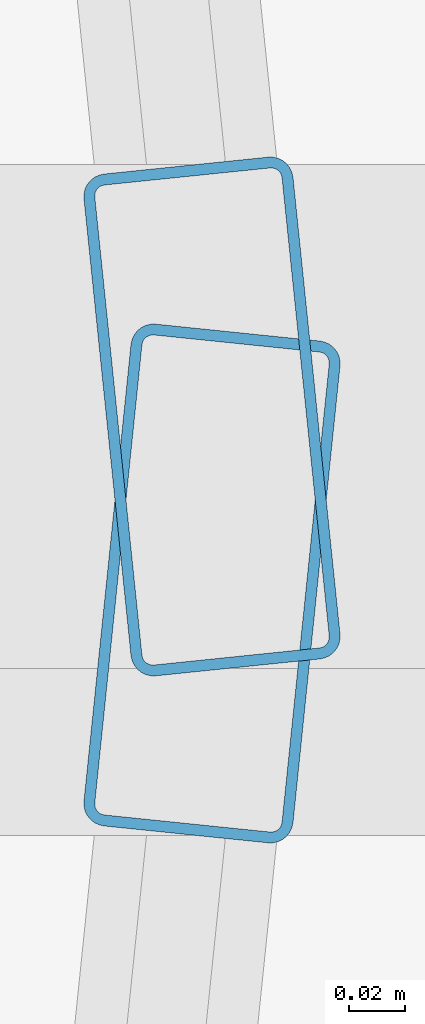
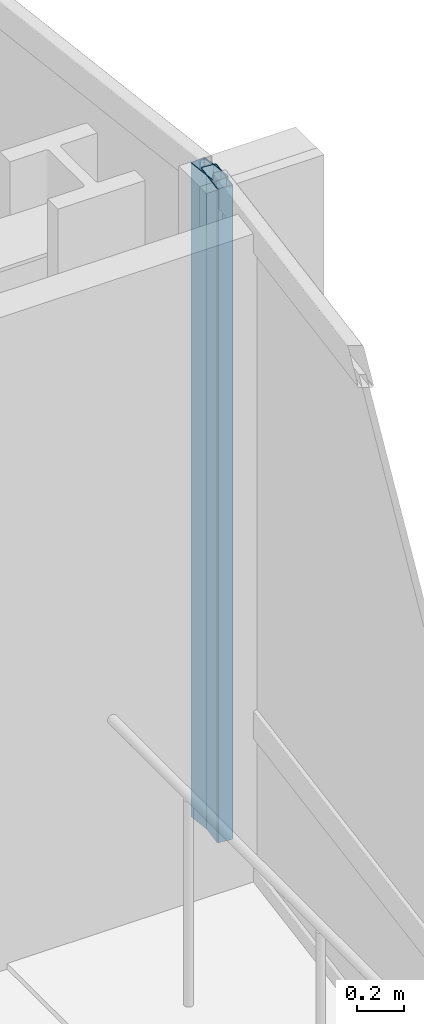
# One storey, part 25 of 34: 2 members, 2 elements without a shape of their own.
"""IFC4 building model written with IfcOpenShell, lengths in metres."""

from ifc_helpers import new_model, si_unit, direction, frame, origin, origin_2d, place, context, subcontext, project, spatial, hollow_rectangle, extrude, material, layer, layer_set, material_profile, profile_set, type_object, element, aggregate, save


model = new_model("IFC4")

# Units and contexts
model_context = context("Model", 3, precision=1e-05, world=origin(), true_north=direction((0.0, 1.0)))
body_context = subcontext(model_context, "Body", "Model", "MODEL_VIEW")
ifc_project = project(units=[si_unit("LENGTHUNIT", "METRE"), si_unit("AREAUNIT", "SQUARE_METRE"), si_unit("VOLUMEUNIT", "CUBIC_METRE"), si_unit("PLANEANGLEUNIT", "RADIAN"), si_unit("MASSUNIT", "GRAM", prefix="KILO")], contexts=[model_context])

# Site, building, storey
site_placement = place(None, origin())
site = spatial("IfcSite", under=ifc_project, at=site_placement, CompositionType="ELEMENT")
building_placement = place(site_placement, origin())
building = spatial("IfcBuilding", under=site, at=building_placement, Name="Solvaryn Broadcast Tower", CompositionType="ELEMENT")
storey_placement = place(building_placement, frame((0.0, 0.0, 47.10009765625)))
storey = spatial("IfcBuildingStorey", under=building, at=storey_placement, Name="L10", CompositionType="ELEMENT", Elevation=47.10009765625)

# Curtain wall, member
ifc_material_1 = material(Name="Aluminium and Terracotta Unitised Curtain Wall", Category="masonry")
ifc_layer = layer(ifc_material_1, 0.199951171875)
ifc_layer_set = layer_set([ifc_layer], Name="CW-SYS2-LOWMID")
curtain_wall_type = type_object("IfcCurtainWallType", Name="CW-SYS2-LOWMID", PredefinedType="NOTDEFINED", material=ifc_layer_set)
curtain_wall_1_placement = place(storey_placement, origin())
curtain_wall_1 = element("IfcCurtainWall", 1, at=curtain_wall_1_placement, inside=storey, type_object=curtain_wall_type, Name="L10 Curtain Wall ET1", PredefinedType="NOTDEFINED")
ifc_material_2 = material(Name="Anodised Aluminium 6063-T6", Category="aluminium")
ifc_material_profile = material_profile(ifc_material_2, hollow_rectangle(XDim=0.074951171875, YDim=0.179931640625, WallThickness=0.00390625, InnerFilletRadius=0.00390625, OuterFilletRadius=0.008056640625, at=origin_2d()))
ifc_profile_set = profile_set([ifc_material_profile], Name="Anodised Aluminium 6063-T6")
member_type = type_object("IfcMemberType", Name="CW-MUL-180", PredefinedType="MULLION", material=ifc_profile_set)
member_1_placement = place(storey_placement, frame((63.697021484375, 18.02978515625, 0.0), z_axis=(0.0, 0.0, 1.0), x_axis=(0.99474329889, 0.10240004548, 0.0)))
member_1 = element("IfcMember", 2, at=member_1_placement, type_object=member_type, Name="CWS2 mullion 2", PredefinedType="MULLION", context=body_context, shape_type="SweptSolid", body=[
    extrude(hollow_rectangle(XDim=0.074951171875, YDim=0.179931640625, WallThickness=0.00390625, InnerFilletRadius=0.00390625, OuterFilletRadius=0.008056640625, at=origin_2d()), origin(), (0.0, 0.0, 1.0), 3.419921875),
])
aggregate(curtain_wall_1, [member_1])

curtain_wall_2_placement = place(storey_placement, origin())
curtain_wall_2 = element("IfcCurtainWall", 3, at=curtain_wall_2_placement, inside=storey, type_object=curtain_wall_type, Name="L10 Curtain Wall ET2", PredefinedType="NOTDEFINED")
member_2_placement = place(storey_placement, frame((63.697021484375, 17.97021484375, 0.0), z_axis=(0.0, 0.0, 1.0), x_axis=(0.99474329889, -0.10240004548, 0.0)))
member_2 = element("IfcMember", 4, at=member_2_placement, type_object=member_type, Name="CWS2 mullion 1", PredefinedType="MULLION", context=body_context, shape_type="SweptSolid", body=[
    extrude(hollow_rectangle(XDim=0.074951171875, YDim=0.179931640625, WallThickness=0.00390625, InnerFilletRadius=0.00390625, OuterFilletRadius=0.008056640625, at=origin_2d()), origin(), (0.0, 0.0, 1.0), 3.419921875),
])
aggregate(curtain_wall_2, [member_2])

save(model, "model.ifc")
